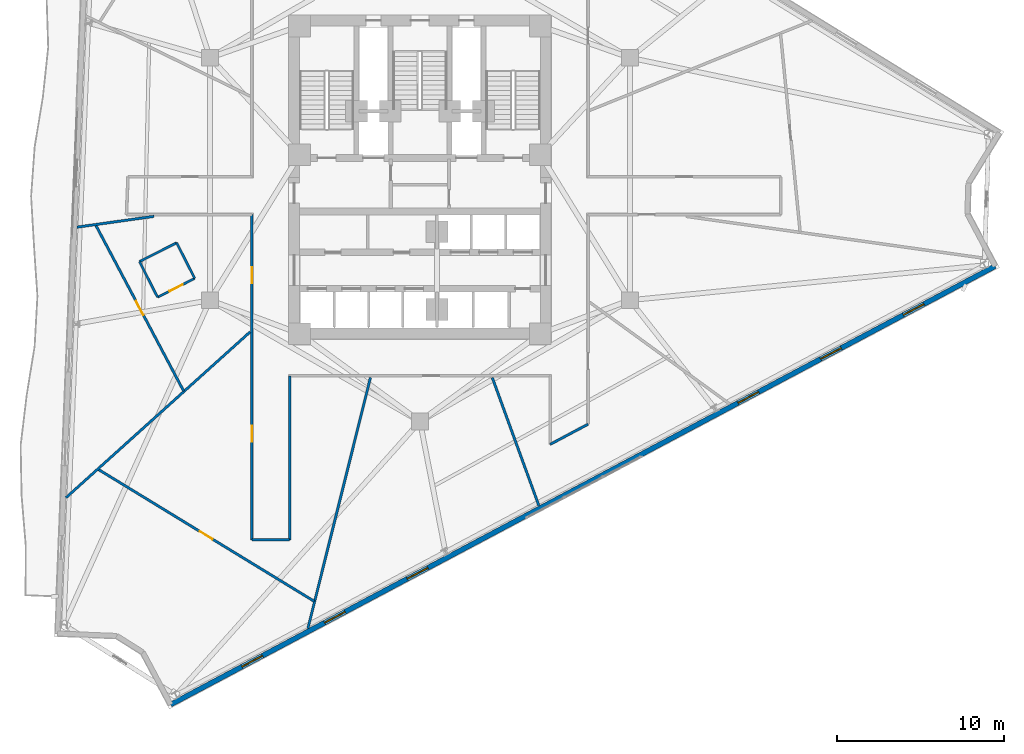
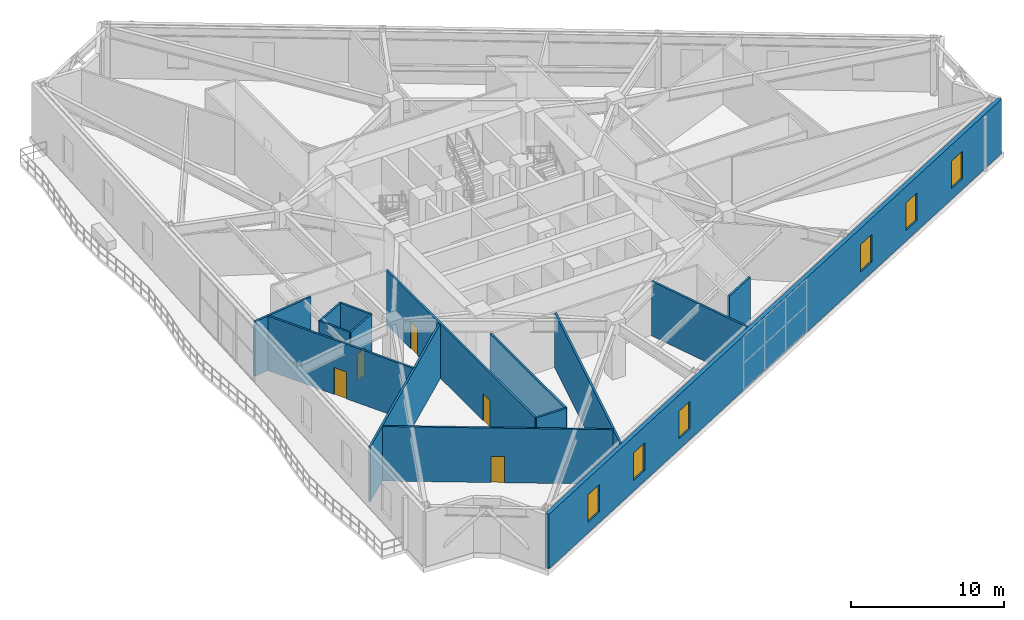
# One storey, part 16 of 22: 15 walls, 6 windows, 5 doors, 11 openings.
"""IFC4 building model written with IfcOpenShell, lengths in metres."""

from ifc_helpers import new_model, si_unit, direction, frame, frame_2d, origin, place, context, subcontext, project, spatial, rectangle, extrude, material, layer, layer_set, type_object, element, fill, save


model = new_model("IFC4")

# Units and contexts
model_context = context("Model", 3, precision=1e-05, world=origin(), true_north=direction((0.0, 1.0)))
body_context = subcontext(model_context, "Body", "Model", "MODEL_VIEW")
ifc_project = project(units=[si_unit("LENGTHUNIT", "METRE"), si_unit("AREAUNIT", "SQUARE_METRE"), si_unit("VOLUMEUNIT", "CUBIC_METRE"), si_unit("PLANEANGLEUNIT", "RADIAN"), si_unit("MASSUNIT", "GRAM", prefix="KILO")], contexts=[model_context])

# Site, building, storey
site_placement = place(None, origin())
site = spatial("IfcSite", under=ifc_project, at=site_placement, CompositionType="ELEMENT")
building_placement = place(site_placement, origin())
building = spatial("IfcBuilding", under=site, at=building_placement, Name="Apsidion Concourse Tower", CompositionType="ELEMENT")
storey_placement = place(building_placement, frame((0.0, 0.0, 160.89990234375)))
storey = spatial("IfcBuildingStorey", under=building, at=storey_placement, Name="L37", CompositionType="ELEMENT", Elevation=160.89990234375)

# Wall, openings, windows
ifc_material_1 = material(Name="Precast concrete C40/50", Category="concrete")
ifc_layer_1 = layer(ifc_material_1, 0.300048828125)
ifc_layer_set_1 = layer_set([ifc_layer_1], Name="Precast concrete C40/50")
wall_type_1 = type_object("IfcWallType", Name="WL-EXT-300", PredefinedType="STANDARD", material=ifc_layer_set_1)
wall_1_placement = place(storey_placement, frame((34.398193359375, -5.216796875, 0.0), z_axis=(0.0, 0.0, 1.0), x_axis=(-0.88294811928, -0.469470572731, 0.0)))
wall_1 = element("IfcWall", 1, at=wall_1_placement, inside=storey, type_object=wall_type_1, Name="L37 Precast Stone Facade Wall 05", PredefinedType="STANDARD", context=body_context, shape_type="SweptSolid", body=[
    extrude(rectangle(XDim=55.845458984375, YDim=0.300048828125, at=frame_2d((27.9228515625, 0.0))), origin(), (0.0, 0.0, 1.0), 4.35009765625),
])
opening_1_placement = place(wall_1_placement, frame((4.82275390625, 0.0, 0.85009765625)))
opening_1 = element("IfcOpeningElement", 2, at=opening_1_placement, cuts=wall_1, Name="Opening WN-05", PredefinedType="OPENING", context=body_context, shape_type="SweptSolid", body=[
    extrude(rectangle(XDim=1.39990234375, YDim=2.199951171875, at=frame_2d((0.699951171875, 1.10009765625))), frame((0.0, 0.16015625, 0.0), z_axis=(0.0, -1.0, 0.0), x_axis=(1.0, 0.0, 0.0)), (0.0, 0.0, 1.0), 0.320068359375),
])
opening_2_placement = place(wall_1_placement, frame((10.422607421875, 0.0, 0.85009765625)))
opening_2 = element("IfcOpeningElement", 3, at=opening_2_placement, cuts=wall_1, Name="Opening WN-05", PredefinedType="OPENING", context=body_context, shape_type="SweptSolid", body=[
    extrude(rectangle(XDim=1.39990234375, YDim=2.199951171875, at=frame_2d((0.699951171875, 1.10009765625))), frame((0.0, 0.16015625, 0.0), z_axis=(0.0, -1.0, 0.0), x_axis=(1.0, 0.0, 0.0)), (0.0, 0.0, 1.0), 0.320068359375),
])
opening_3_placement = place(wall_1_placement, frame((16.022705078125, 0.0, 0.85009765625)))
opening_3 = element("IfcOpeningElement", 4, at=opening_3_placement, cuts=wall_1, Name="Opening WN-05", PredefinedType="OPENING", context=body_context, shape_type="SweptSolid", body=[
    extrude(rectangle(XDim=1.39990234375, YDim=2.199951171875, at=frame_2d((0.699951171875, 1.10009765625))), frame((0.0, 0.16015625, 0.0), z_axis=(0.0, -1.0, 0.0), x_axis=(1.0, 0.0, 0.0)), (0.0, 0.0, 1.0), 0.320068359375),
])
opening_4_placement = place(wall_1_placement, frame((38.422607421875, 0.0, 0.85009765625)))
opening_4 = element("IfcOpeningElement", 5, at=opening_4_placement, cuts=wall_1, Name="Opening WN-05", PredefinedType="OPENING", context=body_context, shape_type="SweptSolid", body=[
    extrude(rectangle(XDim=1.39990234375, YDim=2.199951171875, at=frame_2d((0.699951171875, 1.10009765625))), frame((0.0, 0.16015625, 0.0), z_axis=(0.0, -1.0, 0.0), x_axis=(1.0, 0.0, 0.0)), (0.0, 0.0, 1.0), 0.320068359375),
])
opening_5_placement = place(wall_1_placement, frame((44.022705078125, 0.0, 0.85009765625)))
opening_5 = element("IfcOpeningElement", 6, at=opening_5_placement, cuts=wall_1, Name="Opening WN-05", PredefinedType="OPENING", context=body_context, shape_type="SweptSolid", body=[
    extrude(rectangle(XDim=1.39990234375, YDim=2.199951171875, at=frame_2d((0.699951171875, 1.10009765625))), frame((0.0, 0.16015625, 0.0), z_axis=(0.0, -1.0, 0.0), x_axis=(1.0, 0.0, 0.0)), (0.0, 0.0, 1.0), 0.320068359375),
])
opening_6_placement = place(wall_1_placement, frame((49.622802734375, 0.0, 0.85009765625)))
opening_6 = element("IfcOpeningElement", 7, at=opening_6_placement, cuts=wall_1, Name="Opening WN-05", PredefinedType="OPENING", context=body_context, shape_type="SweptSolid", body=[
    extrude(rectangle(XDim=1.39990234375, YDim=2.199951171875, at=frame_2d((0.699951171875, 1.10009765625))), frame((0.0, 0.16015625, 0.0), z_axis=(0.0, -1.0, 0.0), x_axis=(1.0, 0.0, 0.0)), (0.0, 0.0, 1.0), 0.320068359375),
])
ifc_material_2 = material(Name="Insulated laminated low-E glass", Category="glass")
window_type = type_object("IfcWindowType", Name="WN-OFF-1424", PartitioningType="SINGLE_PANEL", PredefinedType="WINDOW", material=ifc_material_2)
window_1_placement = place(opening_1_placement, origin())
window_1 = element("IfcWindow", 8, at=window_1_placement, inside=storey, type_object=window_type, Name="L37 Punched Facade Window 5-01", OverallHeight=2.199951171875, OverallWidth=1.39990234375, PartitioningType="SINGLE_PANEL", PredefinedType="WINDOW", context=body_context, shape_type="SweptSolid", body=[
    extrude(rectangle(XDim=1.39990234375, YDim=2.199951171875, at=frame_2d((0.699951171875, 1.10009765625))), frame((0.0, 0.030029296875, 0.0), z_axis=(0.0, -1.0, 0.0), x_axis=(1.0, 0.0, 0.0)), (0.0, 0.0, 1.0), 0.06005859375),
])
fill(opening_1, window_1)
window_2_placement = place(opening_2_placement, origin())
window_2 = element("IfcWindow", 9, at=window_2_placement, inside=storey, type_object=window_type, Name="L37 Punched Facade Window 5-02", OverallHeight=2.199951171875, OverallWidth=1.39990234375, PartitioningType="SINGLE_PANEL", PredefinedType="WINDOW", context=body_context, shape_type="SweptSolid", body=[
    extrude(rectangle(XDim=1.39990234375, YDim=2.199951171875, at=frame_2d((0.699951171875, 1.10009765625))), frame((0.0, 0.030029296875, 0.0), z_axis=(0.0, -1.0, 0.0), x_axis=(1.0, 0.0, 0.0)), (0.0, 0.0, 1.0), 0.06005859375),
])
fill(opening_2, window_2)
window_3_placement = place(opening_3_placement, origin())
window_3 = element("IfcWindow", 10, at=window_3_placement, inside=storey, type_object=window_type, Name="L37 Punched Facade Window 5-03", OverallHeight=2.199951171875, OverallWidth=1.39990234375, PartitioningType="SINGLE_PANEL", PredefinedType="WINDOW", context=body_context, shape_type="SweptSolid", body=[
    extrude(rectangle(XDim=1.39990234375, YDim=2.199951171875, at=frame_2d((0.699951171875, 1.10009765625))), frame((0.0, 0.030029296875, 0.0), z_axis=(0.0, -1.0, 0.0), x_axis=(1.0, 0.0, 0.0)), (0.0, 0.0, 1.0), 0.06005859375),
])
fill(opening_3, window_3)
window_4_placement = place(opening_4_placement, origin())
window_4 = element("IfcWindow", 11, at=window_4_placement, inside=storey, type_object=window_type, Name="L37 Punched Facade Window 5-07", OverallHeight=2.199951171875, OverallWidth=1.39990234375, PartitioningType="SINGLE_PANEL", PredefinedType="WINDOW", context=body_context, shape_type="SweptSolid", body=[
    extrude(rectangle(XDim=1.39990234375, YDim=2.199951171875, at=frame_2d((0.699951171875, 1.10009765625))), frame((0.0, 0.030029296875, 0.0), z_axis=(0.0, -1.0, 0.0), x_axis=(1.0, 0.0, 0.0)), (0.0, 0.0, 1.0), 0.06005859375),
])
fill(opening_4, window_4)
window_5_placement = place(opening_5_placement, origin())
window_5 = element("IfcWindow", 12, at=window_5_placement, inside=storey, type_object=window_type, Name="L37 Punched Facade Window 5-08", OverallHeight=2.199951171875, OverallWidth=1.39990234375, PartitioningType="SINGLE_PANEL", PredefinedType="WINDOW", context=body_context, shape_type="SweptSolid", body=[
    extrude(rectangle(XDim=1.39990234375, YDim=2.199951171875, at=frame_2d((0.699951171875, 1.10009765625))), frame((0.0, 0.030029296875, 0.0), z_axis=(0.0, -1.0, 0.0), x_axis=(1.0, 0.0, 0.0)), (0.0, 0.0, 1.0), 0.06005859375),
])
fill(opening_5, window_5)
window_6_placement = place(opening_6_placement, origin())
window_6 = element("IfcWindow", 13, at=window_6_placement, inside=storey, type_object=window_type, Name="L37 Punched Facade Window 5-09", OverallHeight=2.199951171875, OverallWidth=1.39990234375, PartitioningType="SINGLE_PANEL", PredefinedType="WINDOW", context=body_context, shape_type="SweptSolid", body=[
    extrude(rectangle(XDim=1.39990234375, YDim=2.199951171875, at=frame_2d((0.699951171875, 1.10009765625))), frame((0.0, 0.030029296875, 0.0), z_axis=(0.0, -1.0, 0.0), x_axis=(1.0, 0.0, 0.0)), (0.0, 0.0, 1.0), 0.06005859375),
])
fill(opening_6, window_6)

# Walls
ifc_material_3 = material(Name="Gypsum plasterboard partition")
ifc_layer_2 = layer(ifc_material_3, 0.139892578125)
ifc_layer_set_2 = layer_set([ifc_layer_2], Name="Gypsum plasterboard partition")
wall_type_2 = type_object("IfcWallType", Name="WL-INT-PAR-140", PredefinedType="PARTITIONING", material=ifc_layer_set_2)
wall_2_placement = place(storey_placement, frame((-14.5537109375, -3.815673828125, 0.0), z_axis=(0.0, 0.0, 1.0), x_axis=(-0.891803735022, -0.452422477558, 0.0)))
element("IfcWall", 14, at=wall_2_placement, inside=storey, type_object=wall_type_2, Name="L37 Interior Partition WL-L37-POD-OFAWC-S1", PredefinedType="PARTITIONING", context=body_context, shape_type="SweptSolid", body=[
    extrude(rectangle(XDim=2.48974609375, YDim=0.139892578125, at=frame_2d((1.244873046875, 0.0))), origin(), (0.0, 0.0, 1.0), 4.35009765625),
])
wall_3_placement = place(storey_placement, frame((-16.774169921875, -4.942138671875, 0.0), z_axis=(0.0, 0.0, 1.0), x_axis=(0.45243618935, -0.891796778737, 0.0)))
element("IfcWall", 15, at=wall_3_placement, inside=storey, type_object=wall_type_2, Name="L37 Interior Partition WL-L37-POD-OFAWC-S2", PredefinedType="PARTITIONING", context=body_context, shape_type="SweptSolid", body=[
    extrude(rectangle(XDim=2.389892578125, YDim=0.139892578125, at=frame_2d((1.19482421875, 0.0))), origin(), (0.0, 0.0, 1.0), 4.35009765625),
])

# Wall, opening, door
wall_4_placement = place(storey_placement, frame((-15.69287109375, -7.073486328125, 0.0), z_axis=(0.0, 0.0, 1.0), x_axis=(0.891803735022, 0.452422477558, 0.0)))
wall_4 = element("IfcWall", 16, at=wall_4_placement, inside=storey, type_object=wall_type_2, Name="L37 Interior Partition WL-L37-POD-OFAWC-S3", PredefinedType="PARTITIONING", context=body_context, shape_type="SweptSolid", body=[
    extrude(rectangle(XDim=2.48974609375, YDim=0.139892578125, at=frame_2d((1.244873046875, 0.0))), origin(), (0.0, 0.0, 1.0), 4.35009765625),
])
opening_7_placement = place(wall_4_placement, frame((0.804931640625, 0.0, 0.0)))
opening_7 = element("IfcOpeningElement", 17, at=opening_7_placement, cuts=wall_4, Name="Opening D-03R", PredefinedType="OPENING", context=body_context, shape_type="SweptSolid", body=[
    extrude(rectangle(XDim=0.8798828125, YDim=2.10009765625, at=frame_2d((0.43994140625, 1.050048828125))), frame((0.0, 0.080078125, 0.0), z_axis=(0.0, -1.0, 0.0), x_axis=(1.0, 0.0, 0.0)), (0.0, 0.0, 1.0), 0.159912109375),
])
ifc_material_4 = material(Name="Anodised aluminium EN AW-6063 T6", Category="aluminium")
door_type_1 = type_object("IfcDoorType", Name="DR-INT-D03R", OperationType="SINGLE_SWING_RIGHT", PredefinedType="DOOR", material=ifc_material_4)
door_1_placement = place(opening_7_placement, origin())
door_1 = element("IfcDoor", 18, at=door_1_placement, inside=storey, type_object=door_type_1, Name="L37 Office Accessible WC Door OFAWC", OperationType="SINGLE_SWING_RIGHT", OverallHeight=2.10009765625, OverallWidth=0.8798828125, PredefinedType="DOOR", context=body_context, shape_type="SweptSolid", body=[
    extrude(rectangle(XDim=0.8798828125, YDim=2.10009765625, at=frame_2d((0.43994140625, 1.050048828125))), frame((0.0, 0.02490234375, 0.0), z_axis=(0.0, -1.0, 0.0), x_axis=(1.0, 0.0, 0.0)), (0.0, 0.0, 1.0), 0.050048828125),
])
fill(opening_7, door_1)

# Walls
wall_5_placement = place(storey_placement, frame((-13.472412109375, -5.947021484375, 0.0), z_axis=(0.0, 0.0, 1.0), x_axis=(-0.45243618935, 0.891796778737, 0.0)))
element("IfcWall", 19, at=wall_5_placement, inside=storey, type_object=wall_type_2, Name="L37 Interior Partition WL-L37-POD-OFAWC-S4", PredefinedType="PARTITIONING", context=body_context, shape_type="SweptSolid", body=[
    extrude(rectangle(XDim=2.389892578125, YDim=0.139892578125, at=frame_2d((1.19482421875, 0.0))), origin(), (0.0, 0.0, 1.0), 4.35009765625),
])
ifc_layer_3 = layer(ifc_material_3, 0.14990234375)
ifc_layer_set_3 = layer_set([ifc_layer_3], Name="Gypsum plasterboard partition")
wall_type_3 = type_object("IfcWallType", Name="WL-INT-PAR-150", PredefinedType="PARTITIONING", material=ifc_layer_set_3)
wall_6_placement = place(storey_placement, frame((10.050048828125, -14.6689453125, 0.0), z_axis=(0.0, 0.0, 1.0), x_axis=(-0.88294894539, -0.469469019035, 0.0)))
element("IfcWall", 20, at=wall_6_placement, inside=storey, type_object=wall_type_3, Name="L37 Interior Partition WL-L37-CORR-01", PredefinedType="PARTITIONING", context=body_context, shape_type="SweptSolid", body=[
    extrude(rectangle(XDim=2.5595703125, YDim=0.14990234375, at=frame_2d((1.27978515625, 0.0))), origin(), (0.0, 0.0, 1.0), 4.35009765625),
])
wall_7_placement = place(storey_placement, frame((-7.7900390625, -11.77490234375, 0.0), z_axis=(0.0, 0.0, 1.0), x_axis=(0.0, -1.0, 0.0)))
element("IfcWall", 21, at=wall_7_placement, inside=storey, type_object=wall_type_3, Name="L37 Interior Partition WL-L37-CORR-04", PredefinedType="PARTITIONING", context=body_context, shape_type="SweptSolid", body=[
    extrude(rectangle(XDim=9.80517578125, YDim=0.14990234375, at=frame_2d((4.902587890625, 0.0))), origin(), (0.0, 0.0, 1.0), 4.35009765625),
])
wall_8_placement = place(storey_placement, frame((-7.7900390625, -21.580078125, 0.0), z_axis=(0.0, 0.0, 1.0), x_axis=(-1.0, 0.0, 0.0)))
element("IfcWall", 22, at=wall_8_placement, inside=storey, type_object=wall_type_3, Name="L37 Interior Partition WL-L37-CORR-05", PredefinedType="PARTITIONING", context=body_context, shape_type="SweptSolid", body=[
    extrude(rectangle(XDim=2.260009765625, YDim=0.14990234375, at=frame_2d((1.1298828125, 0.0))), origin(), (0.0, 0.0, 1.0), 4.35009765625),
])

# Wall, openings, doors
wall_9_placement = place(storey_placement, frame((-10.050048828125, -21.580078125, 0.0), z_axis=(0.0, 0.0, 1.0), x_axis=(0.0, 1.0, 0.0)))
wall_9 = element("IfcWall", 23, at=wall_9_placement, inside=storey, type_object=wall_type_3, Name="L37 Interior Partition WL-L37-CORR-06", PredefinedType="PARTITIONING", context=body_context, shape_type="SweptSolid", body=[
    extrude(rectangle(XDim=19.4501953125, YDim=0.14990234375, at=frame_2d((9.72509765625, 0.0))), origin(), (0.0, 0.0, 1.0), 4.35009765625),
])
opening_8_placement = place(wall_9_placement, frame((15.337890625, 0.0, 0.0)))
opening_8 = element("IfcOpeningElement", 24, at=opening_8_placement, cuts=wall_9, Name="Opening D-01L", PredefinedType="OPENING", context=body_context, shape_type="SweptSolid", body=[
    extrude(rectangle(XDim=0.949951171875, YDim=2.14990234375, at=frame_2d((0.47509765625, 1.074951171875))), frame((0.0, 0.0849609375, 0.0), z_axis=(0.0, -1.0, 0.0), x_axis=(1.0, 0.0, 0.0)), (0.0, 0.0, 1.0), 0.169921875),
])
opening_9_placement = place(wall_9_placement, frame((5.86767578125, 0.0, 0.0)))
opening_9 = element("IfcOpeningElement", 25, at=opening_9_placement, cuts=wall_9, Name="Opening D-01R", PredefinedType="OPENING", context=body_context, shape_type="SweptSolid", body=[
    extrude(rectangle(XDim=0.949951171875, YDim=2.14990234375, at=frame_2d((0.47509765625, 1.074951171875))), frame((0.0, 0.0849609375, 0.0), z_axis=(0.0, -1.0, 0.0), x_axis=(1.0, 0.0, 0.0)), (0.0, 0.0, 1.0), 0.169921875),
])
ifc_material_5 = material(Name="Brushed stainless steel 316", Category="steel")
door_type_2 = type_object("IfcDoorType", Name="DR-INT-D01L", OperationType="SINGLE_SWING_LEFT", PredefinedType="DOOR", material=ifc_material_5)
door_2_placement = place(opening_8_placement, origin())
door_2 = element("IfcDoor", 26, at=door_2_placement, inside=storey, type_object=door_type_2, Name="L37 Corridor Entry Door 01", OperationType="SINGLE_SWING_LEFT", OverallHeight=2.14990234375, OverallWidth=0.949951171875, PredefinedType="DOOR", context=body_context, shape_type="SweptSolid", body=[
    extrude(rectangle(XDim=0.949951171875, YDim=2.14990234375, at=frame_2d((0.47509765625, 1.074951171875))), frame((0.0, 0.02490234375, 0.0), z_axis=(0.0, -1.0, 0.0), x_axis=(1.0, 0.0, 0.0)), (0.0, 0.0, 1.0), 0.050048828125),
])
fill(opening_8, door_2)
door_type_3 = type_object("IfcDoorType", Name="DR-INT-D01R", OperationType="SINGLE_SWING_RIGHT", PredefinedType="DOOR", material=ifc_material_5)
door_3_placement = place(opening_9_placement, origin())
door_3 = element("IfcDoor", 27, at=door_3_placement, inside=storey, type_object=door_type_3, Name="L37 Corridor Entry Door 02", OperationType="SINGLE_SWING_RIGHT", OverallHeight=2.14990234375, OverallWidth=0.949951171875, PredefinedType="DOOR", context=body_context, shape_type="SweptSolid", body=[
    extrude(rectangle(XDim=0.949951171875, YDim=2.14990234375, at=frame_2d((0.47509765625, 1.074951171875))), frame((0.0, 0.02490234375, 0.0), z_axis=(0.0, -1.0, 0.0), x_axis=(1.0, 0.0, 0.0)), (0.0, 0.0, 1.0), 0.050048828125),
])
fill(opening_9, door_3)

# Walls
wall_10_placement = place(storey_placement, frame((-15.90283203125, -2.235107421875, 0.0), z_axis=(0.0, 0.0, 1.0), x_axis=(-0.990275340098, -0.139121352761, 0.0)))
element("IfcWall", 28, at=wall_10_placement, inside=storey, type_object=wall_type_3, Name="L37 Interior Partition WL-L37-RAD-06-1", PredefinedType="PARTITIONING", context=body_context, shape_type="SweptSolid", body=[
    extrude(rectangle(XDim=4.652099609375, YDim=0.14990234375, at=frame_2d((2.326171875, 0.0))), origin(), (0.0, 0.0, 1.0), 4.35009765625),
])
wall_11_placement = place(storey_placement, frame((-10.155029296875, -9.1435546875, 0.0), z_axis=(0.0, 0.0, 1.0), x_axis=(-0.743139338622, -0.669136700079, 0.0)))
element("IfcWall", 29, at=wall_11_placement, inside=storey, type_object=wall_type_3, Name="L37 Interior Partition WL-L37-RAD-07-1", PredefinedType="PARTITIONING", context=body_context, shape_type="SweptSolid", body=[
    extrude(rectangle(XDim=14.82275390625, YDim=0.14990234375, at=frame_2d((7.411376953125, 0.0))), origin(), (0.0, 0.0, 1.0), 4.35009765625),
])
wall_12_placement = place(storey_placement, frame((-2.9619140625, -11.8798828125, 0.0), z_axis=(0.0, 0.0, 1.0), x_axis=(-0.241930035246, -0.970293696798, 0.0)))
element("IfcWall", 30, at=wall_12_placement, inside=storey, type_object=wall_type_3, Name="L37 Interior Partition WL-L37-RAD-08-1", PredefinedType="PARTITIONING", context=body_context, shape_type="SweptSolid", body=[
    extrude(rectangle(XDim=15.462890625, YDim=0.14990234375, at=frame_2d((7.7314453125, 0.0))), origin(), (0.0, 0.0, 1.0), 4.35009765625),
])
wall_13_placement = place(storey_placement, frame((4.323974609375, -11.8798828125, 0.0), z_axis=(0.0, 0.0, 1.0), x_axis=(0.342010031271, -0.939696301211, 0.0)))
element("IfcWall", 31, at=wall_13_placement, inside=storey, type_object=wall_type_3, Name="L37 Interior Partition WL-L37-RAD-09-1", PredefinedType="PARTITIONING", context=body_context, shape_type="SweptSolid", body=[
    extrude(rectangle(XDim=8.14990234375, YDim=0.14990234375, at=frame_2d((4.074951171875, 0.0))), origin(), (0.0, 0.0, 1.0), 4.35009765625),
])

# Wall, opening, door
wall_14_placement = place(storey_placement, frame((-19.396484375, -2.751220703125, 0.0), z_axis=(0.0, 0.0, 1.0), x_axis=(0.468222797939, -0.883610441026, 0.0)))
wall_14 = element("IfcWall", 32, at=wall_14_placement, inside=storey, type_object=wall_type_3, Name="L37 Interior Partition WL-L37-CHD-OFWC", PredefinedType="PARTITIONING", context=body_context, shape_type="SweptSolid", body=[
    extrude(rectangle(XDim=11.2470703125, YDim=0.14990234375, at=frame_2d((5.62353515625, 0.0))), origin(), (0.0, 0.0, 1.0), 4.35009765625),
])
opening_10_placement = place(wall_14_placement, frame((5.148681640625, 0.0, 0.0)))
opening_10 = element("IfcOpeningElement", 33, at=opening_10_placement, cuts=wall_14, Name="Opening D-04L", PredefinedType="OPENING", context=body_context, shape_type="SweptSolid", body=[
    extrude(rectangle(XDim=0.949951171875, YDim=2.14990234375, at=frame_2d((0.47509765625, 1.074951171875))), frame((0.0, 0.0849609375, 0.0), z_axis=(0.0, -1.0, 0.0), x_axis=(1.0, 0.0, 0.0)), (0.0, 0.0, 1.0), 0.169921875),
])
door_type_4 = type_object("IfcDoorType", Name="DR-INT-D04L", OperationType="SINGLE_SWING_LEFT", PredefinedType="DOOR", material=ifc_material_5)
door_4_placement = place(opening_10_placement, origin())
door_4 = element("IfcDoor", 34, at=door_4_placement, inside=storey, type_object=door_type_4, Name="L37 Suite Connecting Door OFWC", OperationType="SINGLE_SWING_LEFT", OverallHeight=2.14990234375, OverallWidth=0.949951171875, PredefinedType="DOOR", context=body_context, shape_type="SweptSolid", body=[
    extrude(rectangle(XDim=0.949951171875, YDim=2.14990234375, at=frame_2d((0.47509765625, 1.074951171875))), frame((0.0, 0.02490234375, 0.0), z_axis=(0.0, -1.0, 0.0), x_axis=(1.0, 0.0, 0.0)), (0.0, 0.0, 1.0), 0.050048828125),
])
fill(opening_10, door_4)

wall_15_placement = place(storey_placement, frame((-19.247314453125, -17.364013671875, 0.0), z_axis=(0.0, 0.0, 1.0), x_axis=(0.85338781694, -0.521276542632, 0.0)))
wall_15 = element("IfcWall", 35, at=wall_15_placement, inside=storey, type_object=wall_type_3, Name="L37 Interior Partition WL-L37-CHD-OFS01", PredefinedType="PARTITIONING", context=body_context, shape_type="SweptSolid", body=[
    extrude(rectangle(XDim=15.14404296875, YDim=0.14990234375, at=frame_2d((7.572021484375, 0.0))), origin(), (0.0, 0.0, 1.0), 4.35009765625),
])
opening_11_placement = place(wall_15_placement, frame((7.1220703125, 0.0, 0.0)))
opening_11 = element("IfcOpeningElement", 36, at=opening_11_placement, cuts=wall_15, Name="Opening D-02R", PredefinedType="OPENING", context=body_context, shape_type="SweptSolid", body=[
    extrude(rectangle(XDim=0.89990234375, YDim=2.10009765625, at=frame_2d((0.449951171875, 1.050048828125))), frame((0.0, 0.0849609375, 0.0), z_axis=(0.0, -1.0, 0.0), x_axis=(1.0, 0.0, 0.0)), (0.0, 0.0, 1.0), 0.169921875),
])
door_type_5 = type_object("IfcDoorType", Name="DR-INT-D02R", OperationType="SINGLE_SWING_RIGHT", PredefinedType="DOOR", material=ifc_material_4)
door_5_placement = place(opening_11_placement, origin())
door_5 = element("IfcDoor", 37, at=door_5_placement, inside=storey, type_object=door_type_5, Name="L37 Suite Connecting Door OFS01", OperationType="SINGLE_SWING_RIGHT", OverallHeight=2.10009765625, OverallWidth=0.89990234375, PredefinedType="DOOR", context=body_context, shape_type="SweptSolid", body=[
    extrude(rectangle(XDim=0.89990234375, YDim=2.10009765625, at=frame_2d((0.449951171875, 1.050048828125))), frame((0.0, 0.02490234375, 0.0), z_axis=(0.0, -1.0, 0.0), x_axis=(1.0, 0.0, 0.0)), (0.0, 0.0, 1.0), 0.050048828125),
])
fill(opening_11, door_5)

save(model, "model.ifc")
